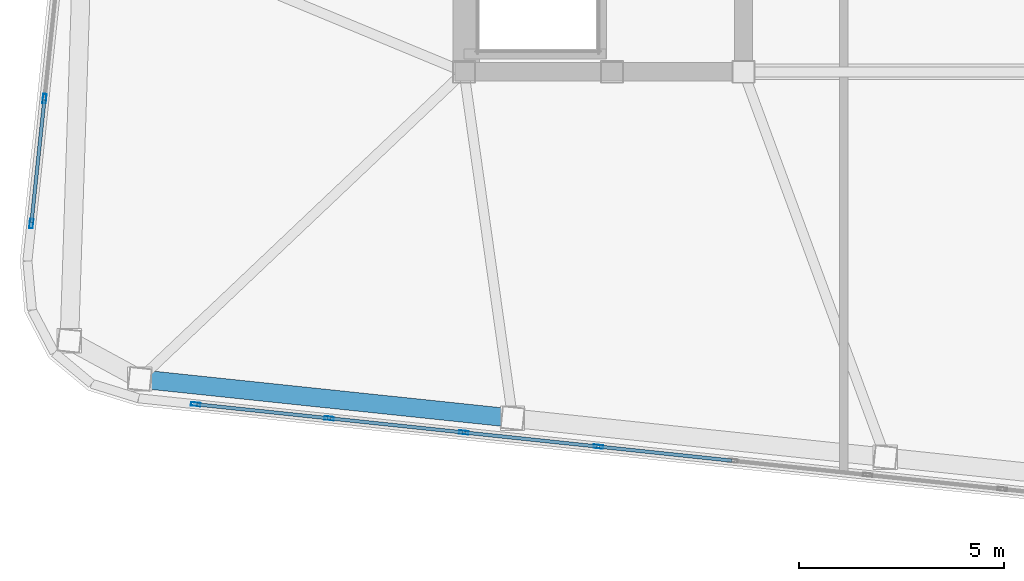
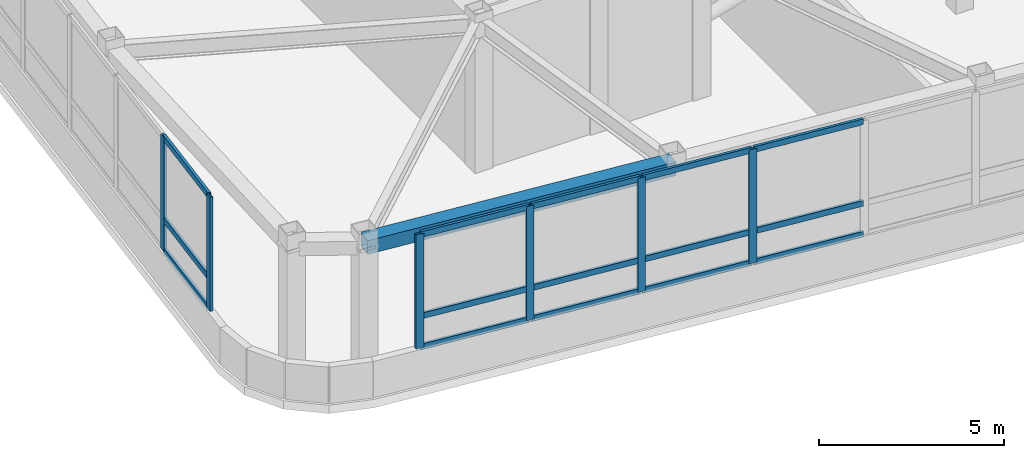
# One storey, part 2 of 21: 21 members, 1 beam, 2 elements without a shape of their own.
"""IFC4 building model written with IfcOpenShell, lengths in metres."""

from ifc_helpers import new_model, si_unit, direction, frame, origin, origin_2d, place, context, subcontext, project, spatial, hollow_rectangle, extrude, material, layer, layer_set, material_profile, profile_set, type_object, element, aggregate, save


model = new_model("IFC4")

# Units and contexts
model_context = context("Model", 3, precision=1e-05, world=origin(), true_north=direction((0.0, 1.0)))
body_context = subcontext(model_context, "Body", "Model", "MODEL_VIEW")
ifc_project = project(units=[si_unit("LENGTHUNIT", "METRE"), si_unit("AREAUNIT", "SQUARE_METRE"), si_unit("VOLUMEUNIT", "CUBIC_METRE"), si_unit("PLANEANGLEUNIT", "RADIAN"), si_unit("MASSUNIT", "GRAM", prefix="KILO")], contexts=[model_context])

# Site, building, storey
site_placement = place(None, origin())
site = spatial("IfcSite", under=ifc_project, at=site_placement, CompositionType="ELEMENT")
building_placement = place(site_placement, origin())
building = spatial("IfcBuilding", under=site, at=building_placement, Name="Voryun Gate Residences", CompositionType="ELEMENT")
storey_placement = place(building_placement, frame((0.0, 0.0, 337.199951171875)))
storey = spatial("IfcBuildingStorey", under=building, at=storey_placement, Name="L82", CompositionType="ELEMENT", Elevation=337.199951171875)

# Beam
ifc_material_1 = material(Name="Steel SM355", Category="steel")
ifc_material_profile_1 = material_profile(ifc_material_1, hollow_rectangle(XDim=0.449951171875, YDim=0.449951171875, WallThickness=0.01806640625, at=origin_2d()), Name="BOX-450x450x18")
ifc_profile_set_1 = profile_set([ifc_material_profile_1], Name="Steel SM355")
beam_type = type_object("IfcBeamType", Name="BM_CROWN_RING", PredefinedType="BEAM", material=ifc_profile_set_1)
beam_placement = place(storey_placement, frame((-27.088623046875, -14.871826171875, 4.735107421875), z_axis=(0.994523919568, -0.104509202498, 0.0), x_axis=(0.104509202498, 0.994523919568, 0.0)))
element("IfcBeam", 1, at=beam_placement, inside=storey, type_object=beam_type, Name="BM-L82-SPAND-01", PredefinedType="BEAM", context=body_context, shape_type="SweptSolid", body=[
    extrude(hollow_rectangle(XDim=0.449951171875, YDim=0.449951171875, WallThickness=0.01806640625, at=origin_2d()), origin(), (0.0, 0.0, 1.0), 9.1201171875),
])

# Curtain wall, members
ifc_material_2 = material(Name="Anodised aluminium", Category="aluminium")
ifc_layer = layer(ifc_material_2, 0.22998046875, Name="CW_SYS_LANTERN_DARK_GLASS")
ifc_layer_set = layer_set([ifc_layer], Name="Anodised aluminium")
curtain_wall_type = type_object("IfcCurtainWallType", Name="CW_SYS_LANTERN_DARK_GLASS", PredefinedType="NOTDEFINED", material=ifc_layer_set)
curtain_wall_1_placement = place(storey_placement, origin())
curtain_wall_1 = element("IfcCurtainWall", 2, at=curtain_wall_1_placement, inside=storey, type_object=curtain_wall_type, Name="Curtain wall CW6-L82-01", PredefinedType="NOTDEFINED")
ifc_material_3 = material(Name="Anodised aluminium", Category="aluminium")
ifc_material_profile_2 = material_profile(ifc_material_3, hollow_rectangle(XDim=0.0849609375, YDim=0.22998046875, WallThickness=0.006103515625, at=origin_2d()), Name="ALU-MULL-230x85x6")
ifc_profile_set_2 = profile_set([ifc_material_profile_2], Name="Anodised aluminium")
member_type_1 = type_object("IfcMemberType", Name="CW_MULL_LANT", PredefinedType="MULLION", material=ifc_profile_set_2)
member_1_placement = place(storey_placement, frame((-15.930908203125, -16.51708984375, 1.18994140625), z_axis=(0.0, 0.0, 1.0), x_axis=(-0.10452775858, -0.994521969434, 0.0)))
member_1 = element("IfcMember", 3, at=member_1_placement, type_object=member_type_1, Name="CW6 mullion 11", PredefinedType="MULLION", context=body_context, shape_type="SweptSolid", body=[
    extrude(hollow_rectangle(XDim=0.0849609375, YDim=0.22998046875, WallThickness=0.006103515625, at=origin_2d()), origin(), (0.0, 0.0, 1.0), 3.77001953125),
])
member_2_placement = place(storey_placement, frame((-19.20751953125, -16.172607421875, 1.18994140625), z_axis=(0.0, 0.0, 1.0), x_axis=(-0.10452775858, -0.994521969434, 0.0)))
member_2 = element("IfcMember", 4, at=member_2_placement, type_object=member_type_1, Name="CW6 mullion 12", PredefinedType="MULLION", context=body_context, shape_type="SweptSolid", body=[
    extrude(hollow_rectangle(XDim=0.0849609375, YDim=0.22998046875, WallThickness=0.006103515625, at=origin_2d()), origin(), (0.0, 0.0, 1.0), 3.77001953125),
])
member_3_placement = place(storey_placement, frame((-22.484130859375, -15.828369140625, 1.18994140625), z_axis=(0.0, 0.0, 1.0), x_axis=(-0.10452775858, -0.994521969434, 0.0)))
member_3 = element("IfcMember", 5, at=member_3_placement, type_object=member_type_1, Name="CW6 mullion 13", PredefinedType="MULLION", context=body_context, shape_type="SweptSolid", body=[
    extrude(hollow_rectangle(XDim=0.0849609375, YDim=0.22998046875, WallThickness=0.006103515625, at=origin_2d()), origin(), (0.0, 0.0, 1.0), 3.77001953125),
])
member_4_placement = place(storey_placement, frame((-25.73095703125, -15.487060546875, 1.18994140625), z_axis=(0.0, 0.0, 1.0), x_axis=(-0.10452775858, -0.994521969434, 0.0)))
member_4 = element("IfcMember", 6, at=member_4_placement, type_object=member_type_1, Name="CW6 mullion 14", PredefinedType="MULLION", context=body_context, shape_type="SweptSolid", body=[
    extrude(hollow_rectangle(XDim=0.0849609375, YDim=0.22998046875, WallThickness=0.006103515625, at=origin_2d()), origin(), (0.0, 0.0, 1.0), 3.77001953125),
])

curtain_wall_2_placement = place(storey_placement, origin())
curtain_wall_2 = element("IfcCurtainWall", 7, at=curtain_wall_2_placement, inside=storey, type_object=curtain_wall_type, Name="Curtain wall CW6-L82-06", PredefinedType="NOTDEFINED")
member_5_placement = place(storey_placement, frame((-29.727783203125, -11.090576171875, 1.18994140625), z_axis=(0.0, 0.0, 1.0), x_axis=(-0.994521943608, 0.104528004296, 0.0)))
member_5 = element("IfcMember", 8, at=member_5_placement, type_object=member_type_1, Name="CW6 mullion 1", PredefinedType="MULLION", context=body_context, shape_type="SweptSolid", body=[
    extrude(hollow_rectangle(XDim=0.0849609375, YDim=0.22998046875, WallThickness=0.006103515625, at=origin_2d()), origin(), (0.0, 0.0, 1.0), 3.77001953125),
])
member_6_placement = place(storey_placement, frame((-29.408203125, -8.04931640625, 1.18994140625), z_axis=(0.0, 0.0, 1.0), x_axis=(-0.994521943608, 0.104528004296, 0.0)))
member_6 = element("IfcMember", 9, at=member_6_placement, type_object=member_type_1, Name="CW6 mullion 2", PredefinedType="MULLION", context=body_context, shape_type="SweptSolid", body=[
    extrude(hollow_rectangle(XDim=0.0849609375, YDim=0.22998046875, WallThickness=0.006103515625, at=origin_2d()), origin(), (0.0, 0.0, 1.0), 3.77001953125),
])

# Member
ifc_material_4 = material(Name="Anodised aluminium", Category="aluminium")
ifc_material_profile_3 = material_profile(ifc_material_4, hollow_rectangle(XDim=0.0849609375, YDim=0.18994140625, WallThickness=0.006103515625, at=origin_2d()), Name="ALU-TRAN-190x85x6")
ifc_profile_set_3 = profile_set([ifc_material_profile_3], Name="Anodised aluminium")
member_type_2 = type_object("IfcMemberType", Name="CW_TRAN_LANT", PredefinedType="USERDEFINED", material=ifc_profile_set_3)
member_7_placement = place(storey_placement, frame((-12.68408203125, -16.8583984375, 1.219970703125), z_axis=(-0.994520745033, 0.104539407398, 0.0), x_axis=(-0.104539407398, -0.994520745033, 0.0)))
member_7 = element("IfcMember", 10, at=member_7_placement, type_object=member_type_2, Name="CW6 transom 10.1", ObjectType="TRANSOM", PredefinedType="USERDEFINED", context=body_context, shape_type="SweptSolid", body=[
    extrude(hollow_rectangle(XDim=0.0849609375, YDim=0.18994140625, WallThickness=0.006103515625, at=origin_2d()), origin(), (0.0, 0.0, 1.0), 3.234619140625),
])

member_8_placement = place(storey_placement, frame((-12.68408203125, -16.8583984375, 2.239990234375), z_axis=(-0.994520745033, 0.104539407398, 0.0), x_axis=(-0.104539407398, -0.994520745033, 0.0)))
member_8 = element("IfcMember", 11, at=member_8_placement, type_object=member_type_2, Name="CW6 transom 10.2", ObjectType="TRANSOM", PredefinedType="USERDEFINED", context=body_context, shape_type="SweptSolid", body=[
    extrude(hollow_rectangle(XDim=0.0849609375, YDim=0.18994140625, WallThickness=0.006103515625, at=origin_2d()), origin(), (0.0, 0.0, 1.0), 3.234619140625),
])

member_9_placement = place(storey_placement, frame((-12.68408203125, -16.8583984375, 4.929931640625), z_axis=(-0.994520745033, 0.104539407398, 0.0), x_axis=(-0.104539407398, -0.994520745033, 0.0)))
member_9 = element("IfcMember", 12, at=member_9_placement, type_object=member_type_2, Name="CW6 transom 10.3", ObjectType="TRANSOM", PredefinedType="USERDEFINED", context=body_context, shape_type="SweptSolid", body=[
    extrude(hollow_rectangle(XDim=0.0849609375, YDim=0.18994140625, WallThickness=0.006103515625, at=origin_2d()), origin(), (0.0, 0.0, 1.0), 3.234619140625),
])

member_10_placement = place(storey_placement, frame((-15.960693359375, -16.513916015625, 1.219970703125), z_axis=(-0.994521569819, 0.104531560613, 0.0), x_axis=(-0.104531560613, -0.994521569819, 0.0)))
member_10 = element("IfcMember", 13, at=member_10_placement, type_object=member_type_2, Name="CW6 transom 11.1", ObjectType="TRANSOM", PredefinedType="USERDEFINED", context=body_context, shape_type="SweptSolid", body=[
    extrude(hollow_rectangle(XDim=0.0849609375, YDim=0.18994140625, WallThickness=0.006103515625, at=origin_2d()), origin(), (0.0, 0.0, 1.0), 3.23486328125),
])

member_11_placement = place(storey_placement, frame((-15.960693359375, -16.513916015625, 2.239990234375), z_axis=(-0.994521569819, 0.104531560613, 0.0), x_axis=(-0.104531560613, -0.994521569819, 0.0)))
member_11 = element("IfcMember", 14, at=member_11_placement, type_object=member_type_2, Name="CW6 transom 11.2", ObjectType="TRANSOM", PredefinedType="USERDEFINED", context=body_context, shape_type="SweptSolid", body=[
    extrude(hollow_rectangle(XDim=0.0849609375, YDim=0.18994140625, WallThickness=0.006103515625, at=origin_2d()), origin(), (0.0, 0.0, 1.0), 3.23486328125),
])

member_12_placement = place(storey_placement, frame((-15.960693359375, -16.513916015625, 4.929931640625), z_axis=(-0.994521569819, 0.104531560613, 0.0), x_axis=(-0.104531560613, -0.994521569819, 0.0)))
member_12 = element("IfcMember", 15, at=member_12_placement, type_object=member_type_2, Name="CW6 transom 11.3", ObjectType="TRANSOM", PredefinedType="USERDEFINED", context=body_context, shape_type="SweptSolid", body=[
    extrude(hollow_rectangle(XDim=0.0849609375, YDim=0.18994140625, WallThickness=0.006103515625, at=origin_2d()), origin(), (0.0, 0.0, 1.0), 3.23486328125),
])

member_13_placement = place(storey_placement, frame((-19.2373046875, -16.16943359375, 1.219970703125), z_axis=(-0.994521569819, 0.104531560613, 0.0), x_axis=(-0.104531560613, -0.994521569819, 0.0)))
member_13 = element("IfcMember", 16, at=member_13_placement, type_object=member_type_2, Name="CW6 transom 12.1", ObjectType="TRANSOM", PredefinedType="USERDEFINED", context=body_context, shape_type="SweptSolid", body=[
    extrude(hollow_rectangle(XDim=0.0849609375, YDim=0.18994140625, WallThickness=0.006103515625, at=origin_2d()), origin(), (0.0, 0.0, 1.0), 3.23486328125),
])

member_14_placement = place(storey_placement, frame((-19.2373046875, -16.16943359375, 2.239990234375), z_axis=(-0.994521569819, 0.104531560613, 0.0), x_axis=(-0.104531560613, -0.994521569819, 0.0)))
member_14 = element("IfcMember", 17, at=member_14_placement, type_object=member_type_2, Name="CW6 transom 12.2", ObjectType="TRANSOM", PredefinedType="USERDEFINED", context=body_context, shape_type="SweptSolid", body=[
    extrude(hollow_rectangle(XDim=0.0849609375, YDim=0.18994140625, WallThickness=0.006103515625, at=origin_2d()), origin(), (0.0, 0.0, 1.0), 3.23486328125),
])

member_15_placement = place(storey_placement, frame((-19.2373046875, -16.16943359375, 4.929931640625), z_axis=(-0.994521569819, 0.104531560613, 0.0), x_axis=(-0.104531560613, -0.994521569819, 0.0)))
member_15 = element("IfcMember", 18, at=member_15_placement, type_object=member_type_2, Name="CW6 transom 12.3", ObjectType="TRANSOM", PredefinedType="USERDEFINED", context=body_context, shape_type="SweptSolid", body=[
    extrude(hollow_rectangle(XDim=0.0849609375, YDim=0.18994140625, WallThickness=0.006103515625, at=origin_2d()), origin(), (0.0, 0.0, 1.0), 3.23486328125),
])

member_16_placement = place(storey_placement, frame((-22.513916015625, -15.8251953125, 1.219970703125), z_axis=(-0.994522138405, 0.104526150903, 0.0), x_axis=(-0.104526150903, -0.994522138405, 0.0)))
member_16 = element("IfcMember", 19, at=member_16_placement, type_object=member_type_2, Name="CW6 transom 13.1", ObjectType="TRANSOM", PredefinedType="USERDEFINED", context=body_context, shape_type="SweptSolid", body=[
    extrude(hollow_rectangle(XDim=0.0849609375, YDim=0.18994140625, WallThickness=0.006103515625, at=origin_2d()), origin(), (0.0, 0.0, 1.0), 3.20458984375),
])

member_17_placement = place(storey_placement, frame((-22.513916015625, -15.8251953125, 2.239990234375), z_axis=(-0.994522138405, 0.104526150903, 0.0), x_axis=(-0.104526150903, -0.994522138405, 0.0)))
member_17 = element("IfcMember", 20, at=member_17_placement, type_object=member_type_2, Name="CW6 transom 13.2", ObjectType="TRANSOM", PredefinedType="USERDEFINED", context=body_context, shape_type="SweptSolid", body=[
    extrude(hollow_rectangle(XDim=0.0849609375, YDim=0.18994140625, WallThickness=0.006103515625, at=origin_2d()), origin(), (0.0, 0.0, 1.0), 3.20458984375),
])

member_18_placement = place(storey_placement, frame((-22.513916015625, -15.8251953125, 4.929931640625), z_axis=(-0.994522138405, 0.104526150903, 0.0), x_axis=(-0.104526150903, -0.994522138405, 0.0)))
member_18 = element("IfcMember", 21, at=member_18_placement, type_object=member_type_2, Name="CW6 transom 13.3", ObjectType="TRANSOM", PredefinedType="USERDEFINED", context=body_context, shape_type="SweptSolid", body=[
    extrude(hollow_rectangle(XDim=0.0849609375, YDim=0.18994140625, WallThickness=0.006103515625, at=origin_2d()), origin(), (0.0, 0.0, 1.0), 3.20458984375),
])

aggregate(curtain_wall_1, [member_1, member_2, member_3, member_4, member_7, member_8, member_9, member_10, member_11, member_12, member_13, member_14, member_15, member_16, member_17, member_18])

member_19_placement = place(storey_placement, frame((-29.724609375, -11.060546875, 1.219970703125), z_axis=(0.104485537102, 0.994526406153, 0.0), x_axis=(-0.994526406153, 0.104485537102, 0.0)))
member_19 = element("IfcMember", 22, at=member_19_placement, type_object=member_type_2, Name="CW6 transom 1.1", ObjectType="TRANSOM", PredefinedType="USERDEFINED", context=body_context, shape_type="SweptSolid", body=[
    extrude(hollow_rectangle(XDim=0.0849609375, YDim=0.18994140625, WallThickness=0.006103515625, at=origin_2d()), origin(), (0.0, 0.0, 1.0), 2.997802734375),
])

member_20_placement = place(storey_placement, frame((-29.724609375, -11.060546875, 2.239990234375), z_axis=(0.104485537102, 0.994526406153, 0.0), x_axis=(-0.994526406153, 0.104485537102, 0.0)))
member_20 = element("IfcMember", 23, at=member_20_placement, type_object=member_type_2, Name="CW6 transom 1.2", ObjectType="TRANSOM", PredefinedType="USERDEFINED", context=body_context, shape_type="SweptSolid", body=[
    extrude(hollow_rectangle(XDim=0.0849609375, YDim=0.18994140625, WallThickness=0.006103515625, at=origin_2d()), origin(), (0.0, 0.0, 1.0), 2.997802734375),
])

member_21_placement = place(storey_placement, frame((-29.724609375, -11.060546875, 4.929931640625), z_axis=(0.104485537102, 0.994526406153, 0.0), x_axis=(-0.994526406153, 0.104485537102, 0.0)))
member_21 = element("IfcMember", 24, at=member_21_placement, type_object=member_type_2, Name="CW6 transom 1.3", ObjectType="TRANSOM", PredefinedType="USERDEFINED", context=body_context, shape_type="SweptSolid", body=[
    extrude(hollow_rectangle(XDim=0.0849609375, YDim=0.18994140625, WallThickness=0.006103515625, at=origin_2d()), origin(), (0.0, 0.0, 1.0), 2.997802734375),
])

aggregate(curtain_wall_2, [member_5, member_6, member_19, member_20, member_21])

save(model, "model.ifc")
